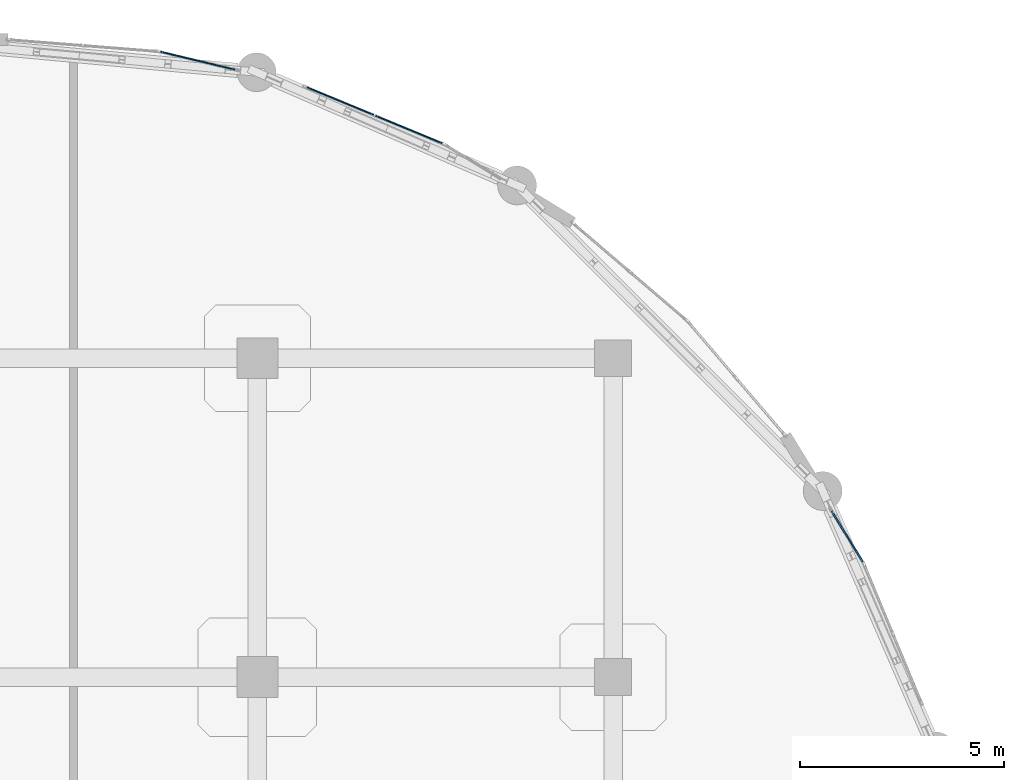
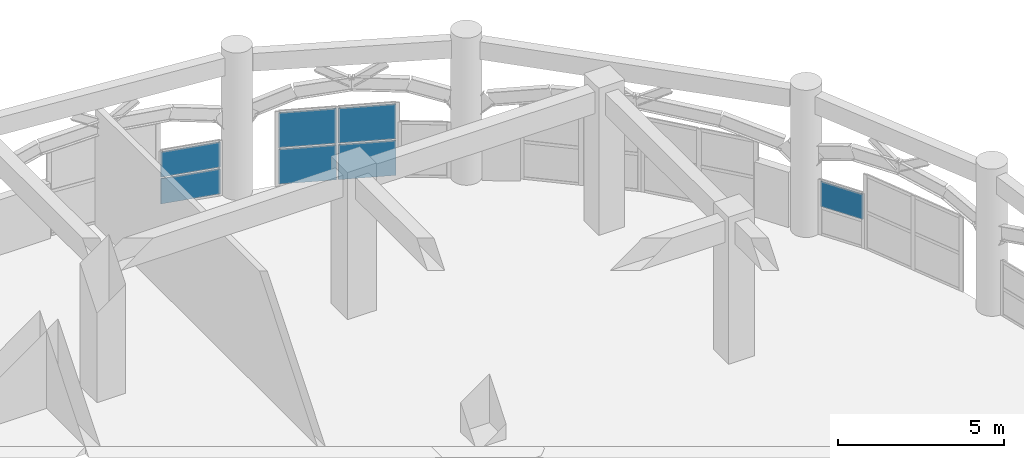
# One storey, part 91 of 114: 7 plates, 3 elements without a shape of their own.
"""IFC4 building model written with IfcOpenShell, lengths in metres."""

from ifc_helpers import new_model, si_unit, derived_unit, direction, frame, origin, origin_2d, place, context, subcontext, project, spatial, rectangle, extrude, material, layer, layer_set, type_object, element, aggregate, save


model = new_model("IFC4")

# Units and contexts
model_context = context("Model", 3, precision=1e-05, world=origin(), true_north=direction((0.0, 1.0)))
body_context = subcontext(model_context, "Body", "Model", "MODEL_VIEW")
ifc_project = project(units=[si_unit("LENGTHUNIT", "METRE"), si_unit("AREAUNIT", "SQUARE_METRE"), si_unit("VOLUMEUNIT", "CUBIC_METRE"), si_unit("PLANEANGLEUNIT", "RADIAN"), si_unit("MASSUNIT", "GRAM", prefix="KILO"), derived_unit("THERMALTRANSMITTANCEUNIT", [(si_unit("MASSUNIT", "GRAM", prefix="KILO"), 1), (si_unit("TIMEUNIT", "SECOND"), -3), (si_unit("THERMODYNAMICTEMPERATUREUNIT", "KELVIN"), -1)])], contexts=[model_context])

# Site, building, storey
site_placement = place(None, origin())
site = spatial("IfcSite", under=ifc_project, at=site_placement, CompositionType="ELEMENT")
building_placement = place(site_placement, origin())
building = spatial("IfcBuilding", under=site, at=building_placement, Name="Qinzheling Arcade Emporium", CompositionType="ELEMENT")
storey_placement = place(building_placement, frame((0.0, 0.0, 6.0)))
storey = spatial("IfcBuildingStorey", under=building, at=storey_placement, Name="L02", CompositionType="ELEMENT", Elevation=6.0)

# Curtain wall, plates
ifc_material_1 = material(Name="Anodised aluminium and solar-control double glazing", Category="aluminium")
ifc_layer_1 = layer(ifc_material_1, 0.159912109375, Name="Anodised aluminium and solar-control double glazing", Category="aluminium")
ifc_layer_set_1 = layer_set([ifc_layer_1], Name="Anodised aluminium and solar-control double glazing")
curtain_wall_type = type_object("IfcCurtainWallType", Name="Curved Ribbon Sales Curtain Wall", PredefinedType="NOTDEFINED", material=ifc_layer_set_1)
curtain_wall_1_placement = place(storey_placement, origin())
curtain_wall_1 = element("IfcCurtainWall", 1, at=curtain_wall_1_placement, inside=storey, type_object=curtain_wall_type, Name="Curtain Wall CW-L02-104", PredefinedType="NOTDEFINED")
ifc_material_2 = material(Name="Laminated solar-control double glazing", Category="glass")
ifc_layer_2 = layer(ifc_material_2, 0.031005859375, Name="Laminated solar-control double glazing", Category="glass")
ifc_layer_set_2 = layer_set([ifc_layer_2], Name="Laminated solar-control double glazing")
plate_type_1 = type_object("IfcPlateType", Name="Low-E Double Glazed Curtain Panel 31mm", PredefinedType="CURTAIN_PANEL", material=ifc_layer_set_2)
plate_1_placement = place(storey_placement, frame((129.03955078125, 114.07958984375, 0.06005859375), z_axis=(0.0, 0.0, 1.0), x_axis=(0.972327728237, -0.233621036939, 0.0)))
plate_1 = element("IfcPlate", 2, at=plate_1_placement, type_object=plate_type_1, Name="CW02 panel 1.1", PredefinedType="CURTAIN_PANEL", context=body_context, shape_type="SweptSolid", body=[
    extrude(rectangle(XDim=1.86181640625, YDim=0.031005859375, at=origin_2d()), origin(), (0.0, 0.0, 1.0), 0.923095703125),
])
plate_2_placement = place(storey_placement, frame((129.03955078125, 114.07958984375, 1.04296875), z_axis=(0.0, 0.0, 1.0), x_axis=(0.972327728237, -0.233621036939, 0.0)))
plate_2 = element("IfcPlate", 3, at=plate_2_placement, type_object=plate_type_1, Name="CW02 panel 1.2", PredefinedType="CURTAIN_PANEL", context=body_context, shape_type="SweptSolid", body=[
    extrude(rectangle(XDim=1.86181640625, YDim=0.031005859375, at=origin_2d()), origin(), (0.0, 0.0, 1.0), 0.922119140625),
])
aggregate(curtain_wall_1, [plate_1, plate_2])

curtain_wall_2_placement = place(storey_placement, origin())
curtain_wall_2 = element("IfcCurtainWall", 4, at=curtain_wall_2_placement, inside=storey, type_object=curtain_wall_type, Name="Curtain Wall CW-L02-105", PredefinedType="NOTDEFINED")
ifc_layer_3 = layer(ifc_material_2, 0.031982421875, Name="Laminated solar-control double glazing", Category="glass")
ifc_layer_set_3 = layer_set([ifc_layer_3], Name="Laminated solar-control double glazing")
plate_type_2 = type_object("IfcPlateType", Name="Low-E Double Glazed Curtain Panel 32mm", PredefinedType="CURTAIN_PANEL", material=ifc_layer_set_3)
plate_3_placement = place(storey_placement, frame((132.527587890625, 113.091552734375, 0.06005859375), z_axis=(0.0, 0.0, 1.0), x_axis=(0.923901161255, -0.382631211784, 0.0)))
plate_3 = element("IfcPlate", 5, at=plate_3_placement, type_object=plate_type_2, Name="CW02 panel 1.1", PredefinedType="CURTAIN_PANEL", context=body_context, shape_type="SweptSolid", body=[
    extrude(rectangle(XDim=1.75390625, YDim=0.031982421875, at=origin_2d()), origin(), (0.0, 0.0, 1.0), 1.279052734375),
])
plate_4_placement = place(storey_placement, frame((132.527587890625, 113.091552734375, 1.39892578125), z_axis=(0.0, 0.0, 1.0), x_axis=(0.923901161255, -0.382631211784, 0.0)))
plate_4 = element("IfcPlate", 6, at=plate_4_placement, type_object=plate_type_2, Name="CW02 panel 1.2", PredefinedType="CURTAIN_PANEL", context=body_context, shape_type="SweptSolid", body=[
    extrude(rectangle(XDim=1.75390625, YDim=0.031982421875, at=origin_2d()), origin(), (0.0, 0.0, 1.0), 1.278076171875),
])
plate_5_placement = place(storey_placement, frame((134.203369140625, 112.3974609375, 0.06005859375), z_axis=(0.0, 0.0, 1.0), x_axis=(0.923901161255, -0.382631211784, 0.0)))
plate_5 = element("IfcPlate", 7, at=plate_5_placement, type_object=plate_type_2, Name="CW02 panel 2.1", PredefinedType="CURTAIN_PANEL", context=body_context, shape_type="SweptSolid", body=[
    extrude(rectangle(XDim=1.75390625, YDim=0.031982421875, at=origin_2d()), origin(), (0.0, 0.0, 1.0), 1.279052734375),
])
plate_6_placement = place(storey_placement, frame((134.203369140625, 112.3974609375, 1.39892578125), z_axis=(0.0, 0.0, 1.0), x_axis=(0.923901161255, -0.382631211784, 0.0)))
plate_6 = element("IfcPlate", 8, at=plate_6_placement, type_object=plate_type_2, Name="CW02 panel 2.2", PredefinedType="CURTAIN_PANEL", context=body_context, shape_type="SweptSolid", body=[
    extrude(rectangle(XDim=1.75390625, YDim=0.031982421875, at=origin_2d()), origin(), (0.0, 0.0, 1.0), 1.278076171875),
])
aggregate(curtain_wall_2, [plate_3, plate_4, plate_5, plate_6])

# Curtain wall, plate
curtain_wall_3_placement = place(storey_placement, origin())
curtain_wall_3 = element("IfcCurtainWall", 9, at=curtain_wall_3_placement, inside=storey, type_object=curtain_wall_type, Name="Curtain Wall CW-L02-109", PredefinedType="NOTDEFINED")
ifc_layer_4 = layer(ifc_material_2, 0.0400390625, Name="Laminated solar-control double glazing", Category="glass")
ifc_layer_set_4 = layer_set([ifc_layer_4], Name="Laminated solar-control double glazing")
plate_type_3 = type_object("IfcPlateType", Name="Low-E Double Glazed Curtain Panel 40mm", PredefinedType="CURTAIN_PANEL", material=ifc_layer_set_4)
plate_7_placement = place(storey_placement, frame((144.928466796875, 102.43896484375, 1.04296875), z_axis=(0.0, 0.0, 1.0), x_axis=(0.522427757689, -0.852683550912, 0.0)))
plate_7 = element("IfcPlate", 10, at=plate_7_placement, type_object=plate_type_3, Name="CW02 panel 1.2", PredefinedType="CURTAIN_PANEL", context=body_context, shape_type="SweptSolid", body=[
    extrude(rectangle(XDim=1.451416015625, YDim=0.0400390625, at=origin_2d()), origin(), (0.0, 0.0, 1.0), 0.922119140625),
])
aggregate(curtain_wall_3, [plate_7])

save(model, "model.ifc")
